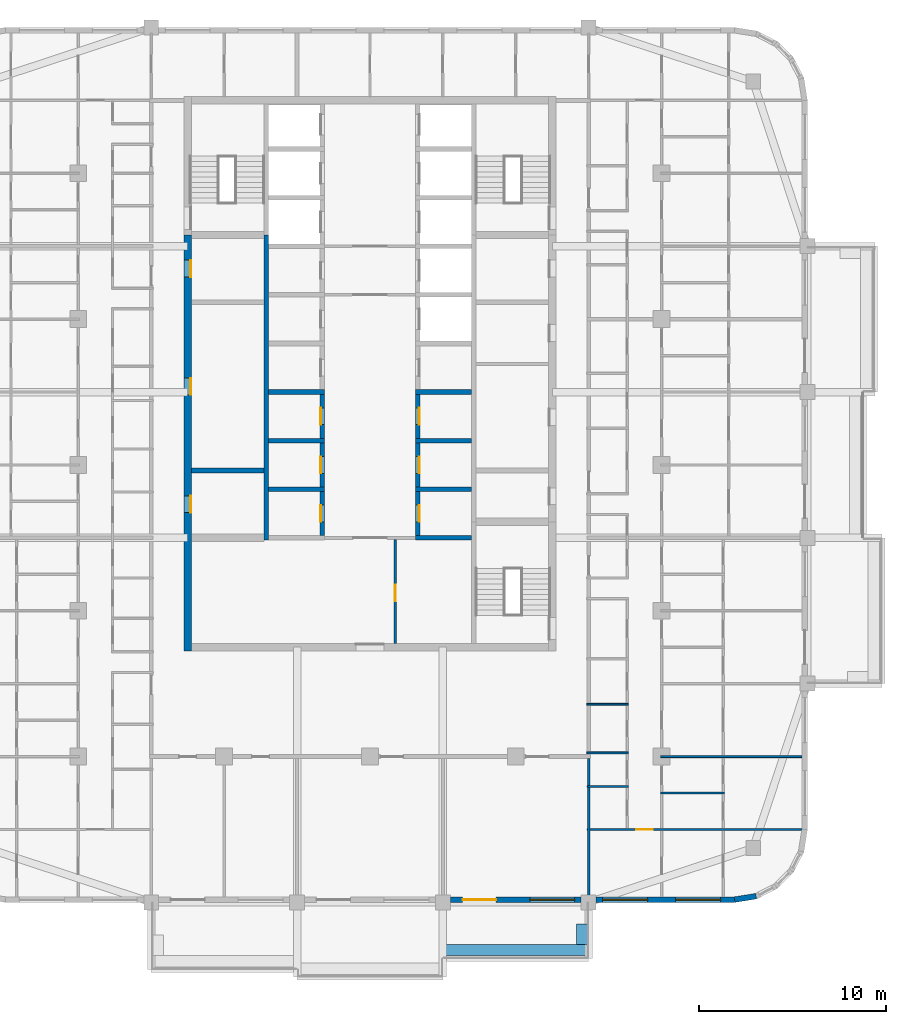
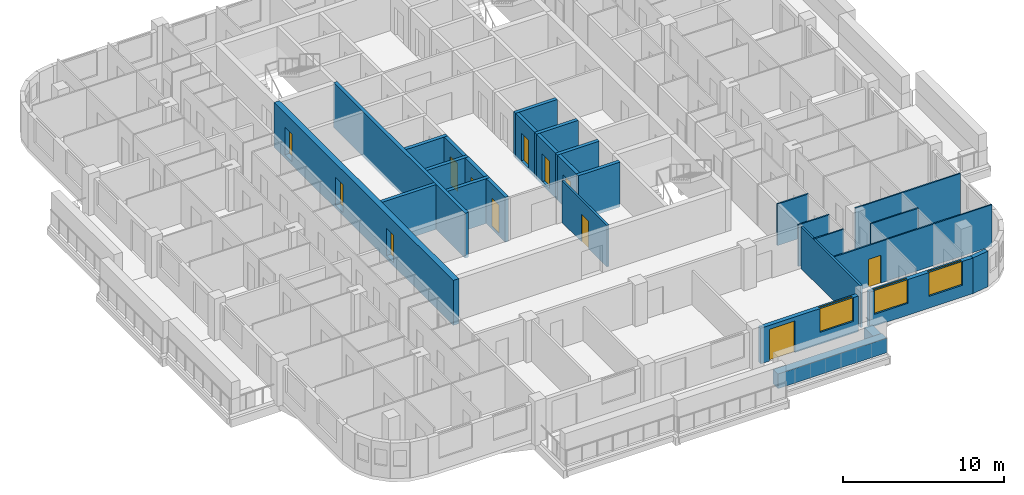
# One storey, part 5 of 16: 29 walls, 12 doors, 3 windows, 15 openings.
"""IFC4 building model written with IfcOpenShell, lengths in metres."""

from ifc_helpers import new_model, si_unit, direction, frame, frame_2d, origin, place, context, subcontext, project, spatial, rectangle, extrude, material, layer, layer_set, type_object, element, fill, save


model = new_model("IFC4")

# Units and contexts
model_context = context("Model", 3, precision=1e-05, world=origin(), true_north=direction((0.0, 1.0)))
body_context = subcontext(model_context, "Body", "Model", "MODEL_VIEW")
ifc_project = project(units=[si_unit("LENGTHUNIT", "METRE"), si_unit("AREAUNIT", "SQUARE_METRE"), si_unit("VOLUMEUNIT", "CUBIC_METRE"), si_unit("PLANEANGLEUNIT", "RADIAN"), si_unit("MASSUNIT", "GRAM", prefix="KILO")], contexts=[model_context])

# Site, building, storey
site_placement = place(None, origin())
site = spatial("IfcSite", under=ifc_project, at=site_placement, CompositionType="ELEMENT")
building_placement = place(site_placement, origin())
building = spatial("IfcBuilding", under=site, at=building_placement, Name="Ludao Terraces", CompositionType="ELEMENT")
storey_placement = place(building_placement, frame((0.0, 0.0, 207.5)))
storey = spatial("IfcBuildingStorey", under=building, at=storey_placement, Name="L56", CompositionType="ELEMENT", Elevation=207.5)

# Wall, openings, doors
ifc_material_1 = material(Name="Concrete C50", Category="concrete")
ifc_layer_1 = layer(ifc_material_1, 0.39990234375)
ifc_layer_set_1 = layer_set([ifc_layer_1], Name="Core wall 400 C50")
wall_type_1 = type_object("IfcWallType", Name="Core wall 400 C50", PredefinedType="SOLIDWALL", material=ifc_layer_set_1)
wall_1_placement = place(storey_placement, frame((75.25, 55.050048828125, -0.25), z_axis=(0.0, 0.0, 1.0), x_axis=(0.0, 1.0, 0.0)))
wall_1 = element("IfcWall", 1, at=wall_1_placement, inside=storey, type_object=wall_type_1, Name="Core wall L56 outer-W", PredefinedType="SOLIDWALL", context=body_context, shape_type="SweptSolid", body=[
    extrude(rectangle(XDim=22.25, YDim=0.39990234375, at=frame_2d((11.125, 0.0))), origin(), (0.0, 0.0, 1.0), 3.39990234375),
])
opening_1_placement = place(wall_1_placement, frame((7.39990234375, 0.0, 0.25)))
opening_1 = element("IfcOpeningElement", 2, at=opening_1_placement, cuts=wall_1, Name="Opening R20-055", PredefinedType="OPENING", context=body_context, shape_type="SweptSolid", body=[
    extrude(rectangle(XDim=0.89990234375, YDim=2.10009765625, at=frame_2d((0.449951171875, 1.050048828125))), frame((0.0, 0.2099609375, 0.0), z_axis=(0.0, -1.0, 0.0), x_axis=(1.0, 0.0, 0.0)), (0.0, 0.0, 1.0), 0.419921875),
])
opening_2_placement = place(wall_1_placement, frame((13.699951171875, 0.0, 0.25)))
opening_2 = element("IfcOpeningElement", 3, at=opening_2_placement, cuts=wall_1, Name="Opening R20-075", PredefinedType="OPENING", context=body_context, shape_type="SweptSolid", body=[
    extrude(rectangle(XDim=0.89990234375, YDim=2.10009765625, at=frame_2d((0.449951171875, 1.050048828125))), frame((0.0, 0.2099609375, 0.0), z_axis=(0.0, -1.0, 0.0), x_axis=(1.0, 0.0, 0.0)), (0.0, 0.0, 1.0), 0.419921875),
])
opening_3_placement = place(wall_1_placement, frame((20.0, 0.0, 0.25)))
opening_3 = element("IfcOpeningElement", 4, at=opening_3_placement, cuts=wall_1, Name="Opening R20-096", PredefinedType="OPENING", context=body_context, shape_type="SweptSolid", body=[
    extrude(rectangle(XDim=0.89990234375, YDim=2.10009765625, at=frame_2d((0.449951171875, 1.050048828125))), frame((0.0, 0.2099609375, 0.0), z_axis=(0.0, -1.0, 0.0), x_axis=(1.0, 0.0, 0.0)), (0.0, 0.0, 1.0), 0.419921875),
])
ifc_material_2 = material(Name="Steel Q235", Category="steel")
door_type_1 = type_object("IfcDoorType", Name="INT Riser door 900", OperationType="SINGLE_SWING_LEFT", PredefinedType="DOOR", material=ifc_material_2)
door_1_placement = place(opening_1_placement, origin())
door_1 = element("IfcDoor", 5, at=door_1_placement, inside=storey, type_object=door_type_1, Name="DOOR 055", OperationType="SINGLE_SWING_RIGHT", OverallHeight=2.10009765625, OverallWidth=0.89990234375, PredefinedType="DOOR", context=body_context, shape_type="SweptSolid", body=[
    extrude(rectangle(XDim=0.89990234375, YDim=2.10009765625, at=frame_2d((0.449951171875, 1.050048828125))), frame((0.0, -0.134765625, 0.0), z_axis=(0.0, -1.0, 0.0), x_axis=(1.0, 0.0, 0.0)), (0.0, 0.0, 1.0), 0.050048828125),
])
fill(opening_1, door_1)
door_2_placement = place(opening_3_placement, origin())
door_2 = element("IfcDoor", 6, at=door_2_placement, inside=storey, type_object=door_type_1, Name="DOOR 096", OperationType="SINGLE_SWING_LEFT", OverallHeight=2.10009765625, OverallWidth=0.89990234375, PredefinedType="DOOR", context=body_context, shape_type="SweptSolid", body=[
    extrude(rectangle(XDim=0.89990234375, YDim=2.10009765625, at=frame_2d((0.449951171875, 1.050048828125))), frame((0.0, -0.134765625, 0.0), z_axis=(0.0, -1.0, 0.0), x_axis=(1.0, 0.0, 0.0)), (0.0, 0.0, 1.0), 0.050048828125),
])
fill(opening_3, door_2)
ifc_material_3 = material(Name="Timber door leaf", Category="wood")
door_type_2 = type_object("IfcDoorType", Name="INT Room door 900", OperationType="SINGLE_SWING_LEFT", PredefinedType="DOOR", material=ifc_material_3)
door_3_placement = place(opening_2_placement, origin())
door_3 = element("IfcDoor", 7, at=door_3_placement, inside=storey, type_object=door_type_2, Name="DOOR 075", OperationType="SINGLE_SWING_RIGHT", OverallHeight=2.10009765625, OverallWidth=0.89990234375, PredefinedType="DOOR", context=body_context, shape_type="SweptSolid", body=[
    extrude(rectangle(XDim=0.89990234375, YDim=2.10009765625, at=frame_2d((0.449951171875, 1.050048828125))), frame((0.0, -0.134765625, 0.0), z_axis=(0.0, -1.0, 0.0), x_axis=(1.0, 0.0, 0.0)), (0.0, 0.0, 1.0), 0.050048828125),
])
fill(opening_2, door_3)

# Walls
ifc_material_4 = material(Name="Concrete C40", Category="concrete")
ifc_layer_2 = layer(ifc_material_4, 0.60009765625)
ifc_layer_set_2 = layer_set([ifc_layer_2], Name="ENV Planter trough 600")
wall_type_2 = type_object("IfcWallType", Name="ENV Planter trough 600", PredefinedType="USERDEFINED", material=ifc_layer_set_2)
wall_2_placement = place(storey_placement, frame((88.89990234375, 39.050048828125, 0.0), z_axis=(0.0, 0.0, 1.0), x_axis=(1.0, 0.0, 0.0)))
element("IfcWall", 8, at=wall_2_placement, inside=storey, type_object=wall_type_2, Name="PL-L56-S3", ObjectType="PLANTER", PredefinedType="USERDEFINED", context=body_context, shape_type="SweptSolid", body=[
    extrude(rectangle(XDim=7.800048828125, YDim=0.60009765625, at=frame_2d((3.89990234375, 0.0))), origin(), (0.0, 0.0, 1.0), 1.10009765625),
])
wall_3_placement = place(storey_placement, frame((96.35009765625, 39.35009765625, 0.0), z_axis=(0.0, 0.0, 1.0), x_axis=(0.0, 1.0, 0.0)))
element("IfcWall", 9, at=wall_3_placement, inside=storey, type_object=wall_type_2, Name="PL-L56-S3-SB", ObjectType="PLANTER", PredefinedType="USERDEFINED", context=body_context, shape_type="SweptSolid", body=[
    extrude(rectangle(XDim=1.099853515625, YDim=0.60009765625, at=frame_2d((0.5498046875, 0.0))), origin(), (0.0, 0.0, 1.0), 1.10009765625),
])

# Wall, openings, door, window
ifc_material_5 = material(Name="Granite cladding", Category="masonry")
ifc_layer_3 = layer(ifc_material_5, 0.0400390625, Category="stone")
ifc_material_6 = material(Name="Mineral wool")
ifc_layer_4 = layer(ifc_material_6, 0.06005859375)
ifc_layer_5 = layer(ifc_material_4, 0.199951171875, Category="concrete")
ifc_layer_set_3 = layer_set([ifc_layer_3, ifc_layer_4, ifc_layer_5], Name="ENV Stone-clad wall 300")
wall_type_3 = type_object("IfcWallType", Name="ENV Stone-clad wall 300", PredefinedType="SOLIDWALL", material=ifc_layer_set_3)
wall_4_placement = place(storey_placement, frame((89.300048828125, 41.75, 0.0), z_axis=(0.0, 0.0, 1.0), x_axis=(1.0, 0.0, 0.0)))
wall_4 = element("IfcWall", 10, at=wall_4_placement, inside=storey, type_object=wall_type_3, Name="EW-L56-S4", PredefinedType="SOLIDWALL", context=body_context, shape_type="SweptSolid", body=[
    extrude(rectangle(XDim=7.0, YDim=0.300048828125, at=frame_2d((3.5, 0.0))), origin(), (0.0, 0.0, 1.0), 2.699951171875),
])
opening_4_placement = place(wall_4_placement, frame((0.64990234375, 0.0, 0.0)))
opening_4 = element("IfcOpeningElement", 11, at=opening_4_placement, cuts=wall_4, Name="Opening BD", PredefinedType="OPENING", context=body_context, shape_type="SweptSolid", body=[
    extrude(rectangle(XDim=1.800048828125, YDim=2.39990234375, at=frame_2d((0.89990234375, 1.199951171875))), frame((0.0, 0.16015625, 0.0), z_axis=(0.0, -1.0, 0.0), x_axis=(1.0, 0.0, 0.0)), (0.0, 0.0, 1.0), 0.320068359375),
])
opening_5_placement = place(wall_4_placement, frame((4.25, 0.0, 0.89990234375)))
opening_5 = element("IfcOpeningElement", 12, at=opening_5_placement, cuts=wall_4, Name="Opening W1", PredefinedType="OPENING", context=body_context, shape_type="SweptSolid", body=[
    extrude(rectangle(XDim=2.39990234375, YDim=1.800048828125, at=frame_2d((1.199951171875, 0.89990234375))), frame((0.0, 0.16015625, 0.0), z_axis=(0.0, -1.0, 0.0), x_axis=(1.0, 0.0, 0.0)), (0.0, 0.0, 1.0), 0.320068359375),
])
ifc_material_7 = material(Name="Aluminium glazed door", Category="aluminium")
ifc_layer_6 = layer(ifc_material_7, 0.06005859375)
ifc_layer_set_4 = layer_set([ifc_layer_6], Name="ENV Balcony door BD 1800x2400")
door_type_3 = type_object("IfcDoorType", Name="ENV Balcony door BD 1800x2400", OperationType="DOUBLE_DOOR_SINGLE_SWING", PredefinedType="DOOR", material=ifc_layer_set_4)
door_4_placement = place(opening_4_placement, origin())
door_4 = element("IfcDoor", 13, at=door_4_placement, inside=storey, type_object=door_type_3, Name="BD-L56-S4-1", OperationType="DOUBLE_DOOR_SINGLE_SWING", OverallHeight=2.39990234375, OverallWidth=1.800048828125, PredefinedType="DOOR", context=body_context, shape_type="SweptSolid", body=[
    extrude(rectangle(XDim=1.800048828125, YDim=2.39990234375, at=frame_2d((0.89990234375, 1.199951171875))), frame((0.0, 0.02490234375, 0.0), z_axis=(0.0, -1.0, 0.0), x_axis=(1.0, 0.0, 0.0)), (0.0, 0.0, 1.0), 0.050048828125),
])
fill(opening_4, door_4)
ifc_material_8 = material(Name="Clear glass in aluminium frame", Category="aluminium")
ifc_layer_7 = layer(ifc_material_8, 0.06005859375)
ifc_layer_set_5 = layer_set([ifc_layer_7], Name="ENV Window W1 2400x1800")
window_type = type_object("IfcWindowType", Name="ENV Window W1 2400x1800", PartitioningType="DOUBLE_PANEL_VERTICAL", PredefinedType="WINDOW", material=ifc_layer_set_5)
window_1_placement = place(opening_5_placement, origin())
window_1 = element("IfcWindow", 14, at=window_1_placement, inside=storey, type_object=window_type, Name="W-L56-S4-2", OverallHeight=1.800048828125, OverallWidth=2.39990234375, PartitioningType="DOUBLE_PANEL_VERTICAL", PredefinedType="WINDOW", context=body_context, shape_type="SweptSolid", body=[
    extrude(rectangle(XDim=2.39990234375, YDim=1.800048828125, at=frame_2d((1.199951171875, 0.89990234375))), frame((0.0, 0.030029296875, 0.0), z_axis=(0.0, -1.0, 0.0), x_axis=(1.0, 0.0, 0.0)), (0.0, 0.0, 1.0), 0.06005859375),
])
fill(opening_5, window_1)

# Wall, openings, windows
wall_5_placement = place(storey_placement, frame((97.10009765625, 41.75, 0.0), z_axis=(0.0, 0.0, 1.0), x_axis=(1.0, 0.0, 0.0)))
wall_5 = element("IfcWall", 15, at=wall_5_placement, inside=storey, type_object=wall_type_3, Name="EW-L56-S5", PredefinedType="SOLIDWALL", context=body_context, shape_type="SweptSolid", body=[
    extrude(rectangle(XDim=7.39990234375, YDim=0.300048828125, at=frame_2d((3.699951171875, 0.0))), origin(), (0.0, 0.0, 1.0), 2.699951171875),
])
opening_6_placement = place(wall_5_placement, frame((0.35009765625, 0.0, 0.89990234375)))
opening_6 = element("IfcOpeningElement", 16, at=opening_6_placement, cuts=wall_5, Name="Opening W1", PredefinedType="OPENING", context=body_context, shape_type="SweptSolid", body=[
    extrude(rectangle(XDim=2.39990234375, YDim=1.800048828125, at=frame_2d((1.199951171875, 0.89990234375))), frame((0.0, 0.16015625, 0.0), z_axis=(0.0, -1.0, 0.0), x_axis=(1.0, 0.0, 0.0)), (0.0, 0.0, 1.0), 0.320068359375),
])
opening_7_placement = place(wall_5_placement, frame((4.25, 0.0, 0.89990234375)))
opening_7 = element("IfcOpeningElement", 17, at=opening_7_placement, cuts=wall_5, Name="Opening W1", PredefinedType="OPENING", context=body_context, shape_type="SweptSolid", body=[
    extrude(rectangle(XDim=2.39990234375, YDim=1.800048828125, at=frame_2d((1.199951171875, 0.89990234375))), frame((0.0, 0.16015625, 0.0), z_axis=(0.0, -1.0, 0.0), x_axis=(1.0, 0.0, 0.0)), (0.0, 0.0, 1.0), 0.320068359375),
])
window_2_placement = place(opening_6_placement, origin())
window_2 = element("IfcWindow", 18, at=window_2_placement, inside=storey, type_object=window_type, Name="W-L56-S5-1", OverallHeight=1.800048828125, OverallWidth=2.39990234375, PartitioningType="DOUBLE_PANEL_VERTICAL", PredefinedType="WINDOW", context=body_context, shape_type="SweptSolid", body=[
    extrude(rectangle(XDim=2.39990234375, YDim=1.800048828125, at=frame_2d((1.199951171875, 0.89990234375))), frame((0.0, 0.030029296875, 0.0), z_axis=(0.0, -1.0, 0.0), x_axis=(1.0, 0.0, 0.0)), (0.0, 0.0, 1.0), 0.06005859375),
])
fill(opening_6, window_2)
window_3_placement = place(opening_7_placement, origin())
window_3 = element("IfcWindow", 19, at=window_3_placement, inside=storey, type_object=window_type, Name="W-L56-S5-2", OverallHeight=1.800048828125, OverallWidth=2.39990234375, PartitioningType="DOUBLE_PANEL_VERTICAL", PredefinedType="WINDOW", context=body_context, shape_type="SweptSolid", body=[
    extrude(rectangle(XDim=2.39990234375, YDim=1.800048828125, at=frame_2d((1.199951171875, 0.89990234375))), frame((0.0, 0.030029296875, 0.0), z_axis=(0.0, -1.0, 0.0), x_axis=(1.0, 0.0, 0.0)), (0.0, 0.0, 1.0), 0.06005859375),
])
fill(opening_7, window_3)

# Wall
wall_6_placement = place(storey_placement, frame((104.5, 41.75, 0.0), z_axis=(0.0, 0.0, 1.0), x_axis=(0.987678452879, 0.156496880861, 0.0)))
element("IfcWall", 20, at=wall_6_placement, inside=storey, type_object=wall_type_3, Name="EW-L56-SE1", PredefinedType="SOLIDWALL", context=body_context, shape_type="SweptSolid", body=[
    extrude(rectangle(XDim=1.173095703125, YDim=0.300048828125, at=frame_2d((0.58642578125, 0.0))), origin(), (0.0, 0.0, 1.0), 2.699951171875),
])

# Wall, opening, door
ifc_material_9 = material(Name="Fire-rated gypsum plasterboard", Category="gypsum")
ifc_layer_8 = layer(ifc_material_9, 0.012451171875, Category="gypsum")
ifc_layer_9 = layer(ifc_material_6, 0.10009765625, Name="insulation")
ifc_layer_10 = layer(ifc_material_2, 0.02490234375, Name="stud")
ifc_layer_11 = layer(ifc_material_9, 0.012451171875, Category="gypsum")
ifc_layer_set_6 = layer_set([ifc_layer_8, ifc_layer_9, ifc_layer_10, ifc_layer_11], Name="INT Core partition 150")
wall_type_4 = type_object("IfcWallType", Name="INT Core partition 150", PredefinedType="PARTITIONING", material=ifc_layer_set_6)
wall_7_placement = place(storey_placement, frame((86.35009765625, 55.4501953125, 0.0), z_axis=(0.0, 0.0, 1.0), x_axis=(0.0, 1.0, 0.0)))
wall_7 = element("IfcWall", 21, at=wall_7_placement, inside=storey, type_object=wall_type_4, Name="PW-L56-PW085", PredefinedType="PARTITIONING", context=body_context, shape_type="SweptSolid", body=[
    extrude(rectangle(XDim=5.574951171875, YDim=0.14990234375, at=frame_2d((2.78759765625, 0.0))), origin(), (0.0, 0.0, 1.0), 3.14990234375),
])
opening_8_placement = place(wall_7_placement, frame((2.25, 0.0, 0.0)))
opening_8 = element("IfcOpeningElement", 22, at=opening_8_placement, cuts=wall_7, Name="Opening R20-039", PredefinedType="OPENING", context=body_context, shape_type="SweptSolid", body=[
    extrude(rectangle(XDim=0.89990234375, YDim=2.10009765625, at=frame_2d((0.449951171875, 1.050048828125))), frame((0.0, 0.0849609375, 0.0), z_axis=(0.0, -1.0, 0.0), x_axis=(1.0, 0.0, 0.0)), (0.0, 0.0, 1.0), 0.169921875),
])
door_5_placement = place(opening_8_placement, origin())
door_5 = element("IfcDoor", 23, at=door_5_placement, inside=storey, type_object=door_type_2, Name="DOOR 039", OperationType="SINGLE_SWING_RIGHT", OverallHeight=2.10009765625, OverallWidth=0.89990234375, PredefinedType="DOOR", context=body_context, shape_type="SweptSolid", body=[
    extrude(rectangle(XDim=0.89990234375, YDim=2.10009765625, at=frame_2d((0.449951171875, 1.050048828125))), frame((0.0, 0.02490234375, 0.0), z_axis=(0.0, -1.0, 0.0), x_axis=(1.0, 0.0, 0.0)), (0.0, 0.0, 1.0), 0.050048828125),
])
fill(opening_8, door_5)

ifc_material_10 = material(Name="Gypsum plasterboard", Category="gypsum")
ifc_layer_12 = layer(ifc_material_10, 0.012451171875, Category="gypsum")
ifc_layer_13 = layer(ifc_material_6, 0.06005859375, Name="insulation")
ifc_layer_14 = layer(ifc_material_2, 0.014892578125, Name="stud")
ifc_layer_15 = layer(ifc_material_10, 0.012451171875, Category="gypsum")
ifc_layer_set_7 = layer_set([ifc_layer_12, ifc_layer_13, ifc_layer_14, ifc_layer_15], Name="INT Partition 100")
wall_type_5 = type_object("IfcWallType", Name="INT Partition 100", PredefinedType="PARTITIONING", material=ifc_layer_set_7)
wall_8_placement = place(storey_placement, frame((96.625, 45.5, 0.0), z_axis=(0.0, 0.0, 1.0), x_axis=(1.0, 0.0, 0.0)))
wall_8 = element("IfcWall", 24, at=wall_8_placement, inside=storey, type_object=wall_type_5, Name="PW-L56-PW001", PredefinedType="PARTITIONING", context=body_context, shape_type="SweptSolid", body=[
    extrude(rectangle(XDim=11.47509765625, YDim=0.10009765625, at=frame_2d((5.737548828125, 0.0))), origin(), (0.0, 0.0, 1.0), 3.14990234375),
])
opening_9_placement = place(wall_8_placement, frame((2.610107421875, 0.0, 0.0)))
opening_9 = element("IfcOpeningElement", 25, at=opening_9_placement, cuts=wall_8, Name="Opening R20-006", PredefinedType="OPENING", context=body_context, shape_type="SweptSolid", body=[
    extrude(rectangle(XDim=0.89990234375, YDim=2.10009765625, at=frame_2d((0.449951171875, 1.050048828125))), frame((0.0, 0.06005859375, 0.0), z_axis=(0.0, -1.0, 0.0), x_axis=(1.0, 0.0, 0.0)), (0.0, 0.0, 1.0), 0.1201171875),
])
door_6_placement = place(opening_9_placement, origin())
door_6 = element("IfcDoor", 26, at=door_6_placement, inside=storey, type_object=door_type_2, Name="DOOR 006", OperationType="SINGLE_SWING_LEFT", OverallHeight=2.10009765625, OverallWidth=0.89990234375, PredefinedType="DOOR", context=body_context, shape_type="SweptSolid", body=[
    extrude(rectangle(XDim=0.89990234375, YDim=2.10009765625, at=frame_2d((0.449951171875, 1.050048828125))), frame((0.0, 0.02490234375, 0.0), z_axis=(0.0, -1.0, 0.0), x_axis=(1.0, 0.0, 0.0)), (0.0, 0.0, 1.0), 0.050048828125),
])
fill(opening_9, door_6)

# Walls
wall_9_placement = place(storey_placement, frame((100.550048828125, 47.449951171875, 0.0), z_axis=(0.0, 0.0, 1.0), x_axis=(1.0, 0.0, 0.0)))
element("IfcWall", 27, at=wall_9_placement, inside=storey, type_object=wall_type_5, Name="PW-L56-PW002", PredefinedType="PARTITIONING", context=body_context, shape_type="SweptSolid", body=[
    extrude(rectangle(XDim=3.400146484375, YDim=0.10009765625, at=frame_2d((1.7001953125, 0.0))), origin(), (0.0, 0.0, 1.0), 3.14990234375),
])
wall_10_placement = place(storey_placement, frame((96.625, 47.800048828125, 0.0), z_axis=(0.0, 0.0, 1.0), x_axis=(1.0, 0.0, 0.0)))
element("IfcWall", 28, at=wall_10_placement, inside=storey, type_object=wall_type_5, Name="PW-L56-PW003", PredefinedType="PARTITIONING", context=body_context, shape_type="SweptSolid", body=[
    extrude(rectangle(XDim=2.195068359375, YDim=0.10009765625, at=frame_2d((1.09765625, 0.0))), origin(), (0.0, 0.0, 1.0), 3.14990234375),
])
wall_11_placement = place(storey_placement, frame((100.550048828125, 49.39990234375, 0.0), z_axis=(0.0, 0.0, 1.0), x_axis=(1.0, 0.0, 0.0)))
element("IfcWall", 29, at=wall_11_placement, inside=storey, type_object=wall_type_5, Name="PW-L56-PW007", PredefinedType="PARTITIONING", context=body_context, shape_type="SweptSolid", body=[
    extrude(rectangle(XDim=7.550048828125, YDim=0.10009765625, at=frame_2d((3.77490234375, 0.0))), origin(), (0.0, 0.0, 1.0), 3.14990234375),
])
for number, where, z_axis, x_axis, name in (
    (30, (96.60009765625, 49.60009765625, 0.0), (0.0, 0.0, 1.0), (1.0, 0.0, 0.0), "PW-L56-PW008"),
    (31, (96.60009765625, 52.199951171875, 0.0), (0.0, 0.0, 1.0), (1.0, 0.0, 0.0), "PW-L56-PW011"),
):
    element("IfcWall", number, at=place(storey_placement, frame(where, z_axis=z_axis, x_axis=x_axis)), inside=storey, type_object=wall_type_5, Name=name, PredefinedType="PARTITIONING", context=body_context, shape_type="SweptSolid", body=[
        extrude(rectangle(XDim=2.219970703125, YDim=0.10009765625, at=frame_2d((1.10986328125, 0.0))), origin(), (0.0, 0.0, 1.0), 3.14990234375),
    ])
ifc_material_11 = material(Name="Autoclaved aerated concrete block B06 A3.5", Category="concrete")
ifc_layer_16 = layer(ifc_material_11, 0.14990234375)
ifc_layer_set_8 = layer_set([ifc_layer_16], Name="INT Party wall 150")
wall_type_6 = type_object("IfcWallType", Name="INT Party wall 150", PredefinedType="PARTITIONING", material=ifc_layer_set_8)
wall_12_placement = place(storey_placement, frame((96.699951171875, 41.900146484375, 0.0), z_axis=(0.0, 0.0, 1.0), x_axis=(0.0, 1.0, 0.0)))
element("IfcWall", 32, at=wall_12_placement, inside=storey, type_object=wall_type_6, Name="PW-L56-PW089", PredefinedType="PARTITIONING", context=body_context, shape_type="SweptSolid", body=[
    extrude(rectangle(XDim=7.39990234375, YDim=0.14990234375, at=frame_2d((3.699951171875, 0.0))), origin(), (0.0, 0.0, 1.0), 3.14990234375),
])
ifc_layer_17 = layer(ifc_material_1, 0.25)
ifc_layer_set_9 = layer_set([ifc_layer_17], Name="Shaft wall 250 C50")
wall_type_7 = type_object("IfcWallType", Name="Shaft wall 250 C50", PredefinedType="SOLIDWALL", material=ifc_layer_set_9)
wall_13_placement = place(storey_placement, frame((79.449951171875, 60.97509765625, -0.25), z_axis=(0.0, 0.0, 1.0), x_axis=(0.0, 1.0, 0.0)))
element("IfcWall", 33, at=wall_13_placement, inside=storey, type_object=wall_type_7, Name="Core wall L56 back-W", PredefinedType="SOLIDWALL", context=body_context, shape_type="SweptSolid", body=[
    extrude(rectangle(XDim=16.324951171875, YDim=0.25, at=frame_2d((8.16259765625, 0.0))), origin(), (0.0, 0.0, 1.0), 3.39990234375),
])

# Wall, opening, door
wall_14_placement = place(storey_placement, frame((82.449951171875, 61.22509765625, -0.25), z_axis=(0.0, 0.0, 1.0), x_axis=(0.0, 1.0, 0.0)))
wall_14 = element("IfcWall", 34, at=wall_14_placement, inside=storey, type_object=wall_type_7, Name="Core wall L56 front-W1", PredefinedType="SOLIDWALL", context=body_context, shape_type="SweptSolid", body=[
    extrude(rectangle(XDim=2.349853515625, YDim=0.25, at=frame_2d((1.1748046875, 0.0))), origin(), (0.0, 0.0, 1.0), 3.39990234375),
])
opening_10_placement = place(wall_14_placement, frame((0.72509765625, 0.0, 0.25)))
opening_10 = element("IfcOpeningElement", 35, at=opening_10_placement, cuts=wall_14, Name="Opening R20-053", PredefinedType="OPENING", context=body_context, shape_type="SweptSolid", body=[
    extrude(rectangle(XDim=0.89990234375, YDim=2.10009765625, at=frame_2d((0.449951171875, 1.050048828125))), frame((0.0, 0.135009765625, 0.0), z_axis=(0.0, -1.0, 0.0), x_axis=(1.0, 0.0, 0.0)), (0.0, 0.0, 1.0), 0.27001953125),
])
door_7_placement = place(opening_10_placement, origin())
door_7 = element("IfcDoor", 36, at=door_7_placement, inside=storey, type_object=door_type_2, Name="DOOR 053", OperationType="SINGLE_SWING_LEFT", OverallHeight=2.10009765625, OverallWidth=0.89990234375, PredefinedType="DOOR", context=body_context, shape_type="SweptSolid", body=[
    extrude(rectangle(XDim=0.89990234375, YDim=2.10009765625, at=frame_2d((0.449951171875, 1.050048828125))), frame((0.0, 0.10986328125, 0.0), z_axis=(0.0, -1.0, 0.0), x_axis=(1.0, 0.0, 0.0)), (0.0, 0.0, 1.0), 0.050048828125),
])
fill(opening_10, door_7)

# Wall
wall_15_placement = place(storey_placement, frame((79.574951171875, 63.699951171875, -0.25), z_axis=(0.0, 0.0, 1.0), x_axis=(1.0, 0.0, 0.0)))
element("IfcWall", 37, at=wall_15_placement, inside=storey, type_object=wall_type_7, Name="Core wall L56 div-W2", PredefinedType="SOLIDWALL", context=body_context, shape_type="SweptSolid", body=[
    extrude(rectangle(XDim=3.0, YDim=0.25, at=frame_2d((1.5, 0.0))), origin(), (0.0, 0.0, 1.0), 3.39990234375),
])

# Wall, opening, door
wall_16_placement = place(storey_placement, frame((82.449951171875, 63.824951171875, -0.25), z_axis=(0.0, 0.0, 1.0), x_axis=(0.0, 1.0, 0.0)))
wall_16 = element("IfcWall", 38, at=wall_16_placement, inside=storey, type_object=wall_type_7, Name="Core wall L56 front-W2", PredefinedType="SOLIDWALL", context=body_context, shape_type="SweptSolid", body=[
    extrude(rectangle(XDim=2.35009765625, YDim=0.25, at=frame_2d((1.175048828125, 0.0))), origin(), (0.0, 0.0, 1.0), 3.39990234375),
])
opening_11_placement = place(wall_16_placement, frame((0.72509765625, 0.0, 0.25)))
opening_11 = element("IfcOpeningElement", 39, at=opening_11_placement, cuts=wall_16, Name="Opening R20-063", PredefinedType="OPENING", context=body_context, shape_type="SweptSolid", body=[
    extrude(rectangle(XDim=0.89990234375, YDim=2.10009765625, at=frame_2d((0.449951171875, 1.050048828125))), frame((0.0, 0.135009765625, 0.0), z_axis=(0.0, -1.0, 0.0), x_axis=(1.0, 0.0, 0.0)), (0.0, 0.0, 1.0), 0.27001953125),
])
door_8_placement = place(opening_11_placement, origin())
door_8 = element("IfcDoor", 40, at=door_8_placement, inside=storey, type_object=door_type_2, Name="DOOR 063", OperationType="SINGLE_SWING_LEFT", OverallHeight=2.10009765625, OverallWidth=0.89990234375, PredefinedType="DOOR", context=body_context, shape_type="SweptSolid", body=[
    extrude(rectangle(XDim=0.89990234375, YDim=2.10009765625, at=frame_2d((0.449951171875, 1.050048828125))), frame((0.0, 0.10986328125, 0.0), z_axis=(0.0, -1.0, 0.0), x_axis=(1.0, 0.0, 0.0)), (0.0, 0.0, 1.0), 0.050048828125),
])
fill(opening_11, door_8)

# Wall
wall_17_placement = place(storey_placement, frame((79.574951171875, 66.300048828125, -0.25), z_axis=(0.0, 0.0, 1.0), x_axis=(1.0, 0.0, 0.0)))
element("IfcWall", 41, at=wall_17_placement, inside=storey, type_object=wall_type_7, Name="Core wall L56 div-W3", PredefinedType="SOLIDWALL", context=body_context, shape_type="SweptSolid", body=[
    extrude(rectangle(XDim=3.0, YDim=0.25, at=frame_2d((1.5, 0.0))), origin(), (0.0, 0.0, 1.0), 3.39990234375),
])

# Wall, opening, door
wall_18_placement = place(storey_placement, frame((82.449951171875, 66.425048828125, -0.25), z_axis=(0.0, 0.0, 1.0), x_axis=(0.0, 1.0, 0.0)))
wall_18 = element("IfcWall", 42, at=wall_18_placement, inside=storey, type_object=wall_type_7, Name="Core wall L56 front-W3", PredefinedType="SOLIDWALL", context=body_context, shape_type="SweptSolid", body=[
    extrude(rectangle(XDim=2.349853515625, YDim=0.25, at=frame_2d((1.1748046875, 0.0))), origin(), (0.0, 0.0, 1.0), 3.39990234375),
])
opening_12_placement = place(wall_18_placement, frame((0.72509765625, 0.0, 0.25)))
opening_12 = element("IfcOpeningElement", 43, at=opening_12_placement, cuts=wall_18, Name="Opening R20-072", PredefinedType="OPENING", context=body_context, shape_type="SweptSolid", body=[
    extrude(rectangle(XDim=0.89990234375, YDim=2.10009765625, at=frame_2d((0.449951171875, 1.050048828125))), frame((0.0, 0.135009765625, 0.0), z_axis=(0.0, -1.0, 0.0), x_axis=(1.0, 0.0, 0.0)), (0.0, 0.0, 1.0), 0.27001953125),
])
door_9_placement = place(opening_12_placement, origin())
door_9 = element("IfcDoor", 44, at=door_9_placement, inside=storey, type_object=door_type_2, Name="DOOR 072", OperationType="SINGLE_SWING_LEFT", OverallHeight=2.10009765625, OverallWidth=0.89990234375, PredefinedType="DOOR", context=body_context, shape_type="SweptSolid", body=[
    extrude(rectangle(XDim=0.89990234375, YDim=2.10009765625, at=frame_2d((0.449951171875, 1.050048828125))), frame((0.0, 0.10986328125, 0.0), z_axis=(0.0, -1.0, 0.0), x_axis=(1.0, 0.0, 0.0)), (0.0, 0.0, 1.0), 0.050048828125),
])
fill(opening_12, door_9)

# Walls
for number, where, z_axis, x_axis, name in (
    (45, (79.574951171875, 68.89990234375, -0.25), (0.0, 0.0, 1.0), (1.0, 0.0, 0.0), "Core wall L56 div-W4"),
    (46, (87.425048828125, 61.10009765625, -0.25), (0.0, 0.0, 1.0), (1.0, 0.0, 0.0), "Core wall L56 div-E1"),
):
    element("IfcWall", number, at=place(storey_placement, frame(where, z_axis=z_axis, x_axis=x_axis)), inside=storey, type_object=wall_type_7, Name=name, PredefinedType="SOLIDWALL", context=body_context, shape_type="SweptSolid", body=[
        extrude(rectangle(XDim=3.0, YDim=0.25, at=frame_2d((1.5, 0.0))), origin(), (0.0, 0.0, 1.0), 3.39990234375),
    ])

# Wall, opening, door
wall_19_placement = place(storey_placement, frame((87.550048828125, 61.22509765625, -0.25), z_axis=(0.0, 0.0, 1.0), x_axis=(0.0, 1.0, 0.0)))
wall_19 = element("IfcWall", 47, at=wall_19_placement, inside=storey, type_object=wall_type_7, Name="Core wall L56 front-E1", PredefinedType="SOLIDWALL", context=body_context, shape_type="SweptSolid", body=[
    extrude(rectangle(XDim=2.349853515625, YDim=0.25, at=frame_2d((1.1748046875, 0.0))), origin(), (0.0, 0.0, 1.0), 3.39990234375),
])
opening_13_placement = place(wall_19_placement, frame((0.72509765625, 0.0, 0.25)))
opening_13 = element("IfcOpeningElement", 48, at=opening_13_placement, cuts=wall_19, Name="Opening R20-054", PredefinedType="OPENING", context=body_context, shape_type="SweptSolid", body=[
    extrude(rectangle(XDim=0.89990234375, YDim=2.10009765625, at=frame_2d((0.449951171875, 1.050048828125))), frame((0.0, 0.135009765625, 0.0), z_axis=(0.0, -1.0, 0.0), x_axis=(1.0, 0.0, 0.0)), (0.0, 0.0, 1.0), 0.27001953125),
])
door_10_placement = place(opening_13_placement, origin())
door_10 = element("IfcDoor", 49, at=door_10_placement, inside=storey, type_object=door_type_2, Name="DOOR 054", OperationType="SINGLE_SWING_RIGHT", OverallHeight=2.10009765625, OverallWidth=0.89990234375, PredefinedType="DOOR", context=body_context, shape_type="SweptSolid", body=[
    extrude(rectangle(XDim=0.89990234375, YDim=2.10009765625, at=frame_2d((0.449951171875, 1.050048828125))), frame((0.0, -0.06005859375, 0.0), z_axis=(0.0, -1.0, 0.0), x_axis=(1.0, 0.0, 0.0)), (0.0, 0.0, 1.0), 0.050048828125),
])
fill(opening_13, door_10)

# Wall
wall_20_placement = place(storey_placement, frame((87.425048828125, 63.699951171875, -0.25), z_axis=(0.0, 0.0, 1.0), x_axis=(1.0, 0.0, 0.0)))
element("IfcWall", 50, at=wall_20_placement, inside=storey, type_object=wall_type_7, Name="Core wall L56 div-E2", PredefinedType="SOLIDWALL", context=body_context, shape_type="SweptSolid", body=[
    extrude(rectangle(XDim=3.0, YDim=0.25, at=frame_2d((1.5, 0.0))), origin(), (0.0, 0.0, 1.0), 3.39990234375),
])

# Wall, opening, door
wall_21_placement = place(storey_placement, frame((87.550048828125, 63.824951171875, -0.25), z_axis=(0.0, 0.0, 1.0), x_axis=(0.0, 1.0, 0.0)))
wall_21 = element("IfcWall", 51, at=wall_21_placement, inside=storey, type_object=wall_type_7, Name="Core wall L56 front-E2", PredefinedType="SOLIDWALL", context=body_context, shape_type="SweptSolid", body=[
    extrude(rectangle(XDim=2.35009765625, YDim=0.25, at=frame_2d((1.175048828125, 0.0))), origin(), (0.0, 0.0, 1.0), 3.39990234375),
])
opening_14_placement = place(wall_21_placement, frame((0.72509765625, 0.0, 0.25)))
opening_14 = element("IfcOpeningElement", 52, at=opening_14_placement, cuts=wall_21, Name="Opening R20-064", PredefinedType="OPENING", context=body_context, shape_type="SweptSolid", body=[
    extrude(rectangle(XDim=0.89990234375, YDim=2.10009765625, at=frame_2d((0.449951171875, 1.050048828125))), frame((0.0, 0.135009765625, 0.0), z_axis=(0.0, -1.0, 0.0), x_axis=(1.0, 0.0, 0.0)), (0.0, 0.0, 1.0), 0.27001953125),
])
door_11_placement = place(opening_14_placement, origin())
door_11 = element("IfcDoor", 53, at=door_11_placement, inside=storey, type_object=door_type_2, Name="DOOR 064", OperationType="SINGLE_SWING_RIGHT", OverallHeight=2.10009765625, OverallWidth=0.89990234375, PredefinedType="DOOR", context=body_context, shape_type="SweptSolid", body=[
    extrude(rectangle(XDim=0.89990234375, YDim=2.10009765625, at=frame_2d((0.449951171875, 1.050048828125))), frame((0.0, -0.06005859375, 0.0), z_axis=(0.0, -1.0, 0.0), x_axis=(1.0, 0.0, 0.0)), (0.0, 0.0, 1.0), 0.050048828125),
])
fill(opening_14, door_11)

# Wall
wall_22_placement = place(storey_placement, frame((87.425048828125, 66.300048828125, -0.25), z_axis=(0.0, 0.0, 1.0), x_axis=(1.0, 0.0, 0.0)))
element("IfcWall", 54, at=wall_22_placement, inside=storey, type_object=wall_type_7, Name="Core wall L56 div-E3", PredefinedType="SOLIDWALL", context=body_context, shape_type="SweptSolid", body=[
    extrude(rectangle(XDim=3.0, YDim=0.25, at=frame_2d((1.5, 0.0))), origin(), (0.0, 0.0, 1.0), 3.39990234375),
])

# Wall, opening, door
wall_23_placement = place(storey_placement, frame((87.550048828125, 66.425048828125, -0.25), z_axis=(0.0, 0.0, 1.0), x_axis=(0.0, 1.0, 0.0)))
wall_23 = element("IfcWall", 55, at=wall_23_placement, inside=storey, type_object=wall_type_7, Name="Core wall L56 front-E3", PredefinedType="SOLIDWALL", context=body_context, shape_type="SweptSolid", body=[
    extrude(rectangle(XDim=2.349853515625, YDim=0.25, at=frame_2d((1.1748046875, 0.0))), origin(), (0.0, 0.0, 1.0), 3.39990234375),
])
opening_15_placement = place(wall_23_placement, frame((0.72509765625, 0.0, 0.25)))
opening_15 = element("IfcOpeningElement", 56, at=opening_15_placement, cuts=wall_23, Name="Opening R20-073", PredefinedType="OPENING", context=body_context, shape_type="SweptSolid", body=[
    extrude(rectangle(XDim=0.89990234375, YDim=2.10009765625, at=frame_2d((0.449951171875, 1.050048828125))), frame((0.0, 0.135009765625, 0.0), z_axis=(0.0, -1.0, 0.0), x_axis=(1.0, 0.0, 0.0)), (0.0, 0.0, 1.0), 0.27001953125),
])
door_12_placement = place(opening_15_placement, origin())
door_12 = element("IfcDoor", 57, at=door_12_placement, inside=storey, type_object=door_type_2, Name="DOOR 073", OperationType="SINGLE_SWING_RIGHT", OverallHeight=2.10009765625, OverallWidth=0.89990234375, PredefinedType="DOOR", context=body_context, shape_type="SweptSolid", body=[
    extrude(rectangle(XDim=0.89990234375, YDim=2.10009765625, at=frame_2d((0.449951171875, 1.050048828125))), frame((0.0, -0.06005859375, 0.0), z_axis=(0.0, -1.0, 0.0), x_axis=(1.0, 0.0, 0.0)), (0.0, 0.0, 1.0), 0.050048828125),
])
fill(opening_15, door_12)

# Walls
wall_24_placement = place(storey_placement, frame((87.425048828125, 68.89990234375, -0.25), z_axis=(0.0, 0.0, 1.0), x_axis=(1.0, 0.0, 0.0)))
element("IfcWall", 58, at=wall_24_placement, inside=storey, type_object=wall_type_7, Name="Core wall L56 div-E4", PredefinedType="SOLIDWALL", context=body_context, shape_type="SweptSolid", body=[
    extrude(rectangle(XDim=3.0, YDim=0.25, at=frame_2d((1.5, 0.0))), origin(), (0.0, 0.0, 1.0), 3.39990234375),
])
wall_25_placement = place(storey_placement, frame((75.449951171875, 64.699951171875, -0.25), z_axis=(0.0, 0.0, 1.0), x_axis=(1.0, 0.0, 0.0)))
element("IfcWall", 59, at=wall_25_placement, inside=storey, type_object=wall_type_7, Name="Core wall L56 riser-a-W", PredefinedType="SOLIDWALL", context=body_context, shape_type="SweptSolid", body=[
    extrude(rectangle(XDim=3.875, YDim=0.25, at=frame_2d((1.9375, 0.0))), origin(), (0.0, 0.0, 1.0), 3.39990234375),
])

save(model, "model.ifc")
